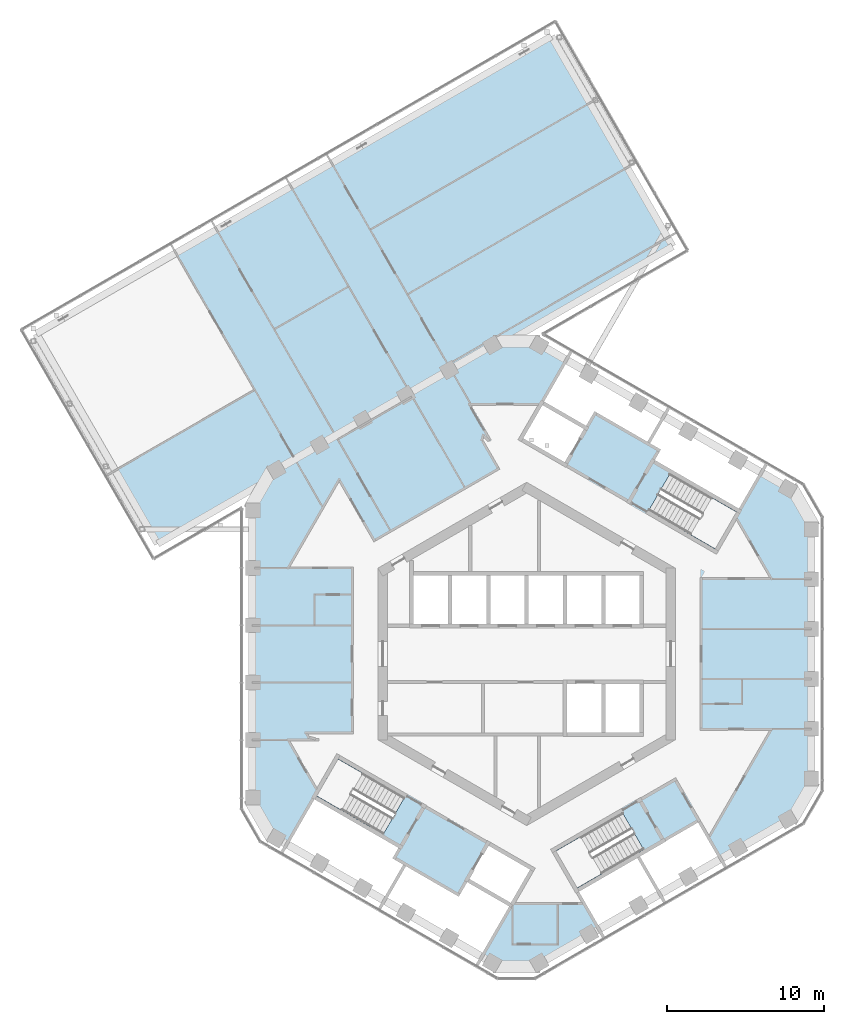
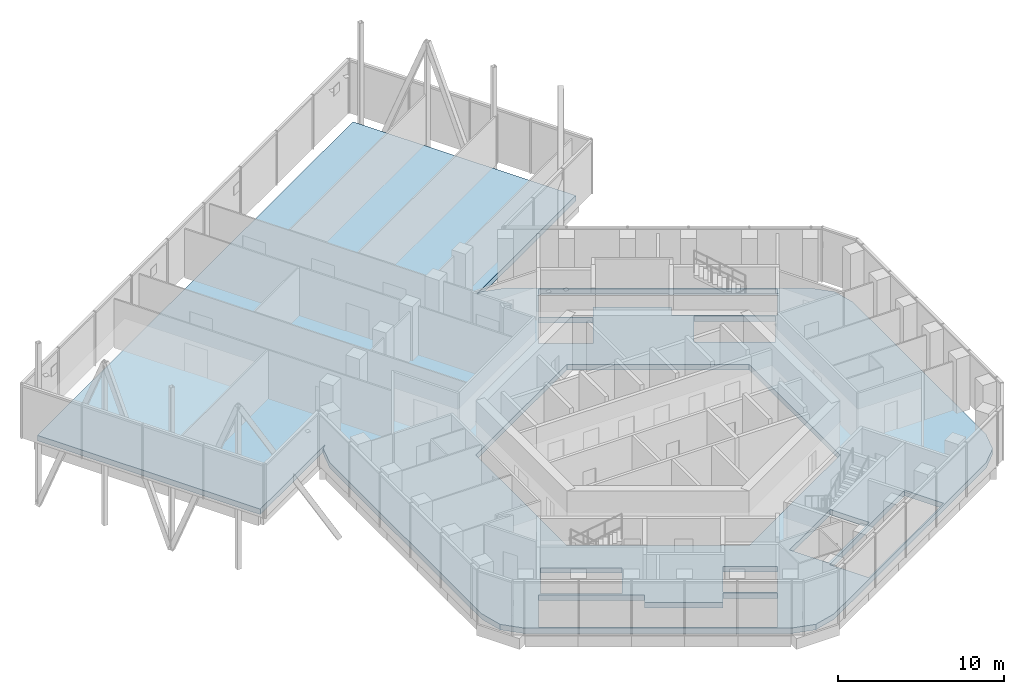
# One storey, part 11 of 21: 1 slab.
"""IFC4 building model written with IfcOpenShell, lengths in metres."""

from ifc_helpers import new_model, si_unit, direction, frame, origin, place, context, subcontext, project, spatial, polyline, outline, extrude, material, layer, layer_set, type_object, element, save


model = new_model("IFC4")

# Units and contexts
model_context = context("Model", 3, precision=1e-05, world=origin(), true_north=direction((0.0, 1.0)))
body_context = subcontext(model_context, "Body", "Model", "MODEL_VIEW")
ifc_project = project(units=[si_unit("LENGTHUNIT", "METRE"), si_unit("AREAUNIT", "SQUARE_METRE"), si_unit("VOLUMEUNIT", "CUBIC_METRE"), si_unit("PLANEANGLEUNIT", "RADIAN"), si_unit("MASSUNIT", "GRAM", prefix="KILO")], contexts=[model_context])

# Site, building, storey
site_placement = place(None, origin())
site = spatial("IfcSite", under=ifc_project, at=site_placement, CompositionType="ELEMENT")
building_placement = place(site_placement, origin())
building = spatial("IfcBuilding", under=site, at=building_placement, Name="Ayvan Gate Tower", CompositionType="ELEMENT")
storey_placement = place(building_placement, frame((0.0, 0.0, 190.699951171875)))
storey = spatial("IfcBuildingStorey", under=building, at=storey_placement, Name="L51", CompositionType="ELEMENT", Elevation=190.699951171875)

# Slab
ifc_material = material(Name="Concrete C40/50", Category="concrete")
ifc_layer = layer(ifc_material, 0.39990234375)
ifc_layer_set = layer_set([ifc_layer], Name="Concrete C40/50")
slab_type = type_object("IfcSlabType", Name="Post-tensioned flat slab 400", PredefinedType="FLOOR", material=ifc_layer_set)
slab_placement = place(storey_placement, frame((0.0, 0.0, -0.39990234375)))
element("IfcSlab", 1, at=slab_placement, inside=storey, type_object=slab_type, Name="SL-L51", PredefinedType="FLOOR", context=body_context, shape_type="SweptSolid", body=[
    extrude(outline(polyline([(-17.121337890625, -10.65087890625), (-17.523193359375, -9.15087890625), (-17.523193359375, 9.15087890625), (-17.121337890625, 10.65087890625), (-16.8427734375, 10.929443359375), (-23.5791015625, 7.040283203125), (-31.3291015625, 20.463623046875), (1.579833984375, 39.463623046875), (9.329833984375, 26.040283203125), (-1.043701171875, 20.051025390625), (-0.663330078125, 20.15283203125), (0.836669921875, 19.7509765625), (16.6865234375, 10.60009765625), (17.78466796875, 9.501953125), (18.1865234375, 8.001953125), (18.1865234375, -8.001953125), (17.78466796875, -9.501953125), (16.6865234375, -10.60009765625), (0.836669921875, -19.7509765625), (-0.663330078125, -20.15283203125), (-2.163330078125, -19.7509765625), (-16.023193359375, -11.7490234375), (-17.121337890625, -10.65087890625)]), holes=[polyline([(1.0146484375, 16.157470703125), (3.87255859375, 14.50732421875), (4.37255859375, 15.373291015625), (7.77587890625, 13.408447265625), (8.44287109375, 13.0234375), (8.042724609375, 12.33056640625), (13.58544921875, 9.130615234375), (14.947021484375, 11.489013671875), (2.476318359375, 18.68896484375), (1.0146484375, 16.157470703125)]), polyline([(7.80615234375, 9.170654296875), (12.049560546875, 6.720458984375), (13.404541015625, 9.0673828125), (9.1611328125, 11.517578125), (7.80615234375, 9.170654296875)]), polyline([(3.193115234375, -15.130615234375), (3.259765625, -15.24609375), (3.66796875, -15.952880859375), (4.5546875, -17.489013671875), (12.348876953125, -12.989013671875), (11.63525390625, -11.7529296875), (11.500732421875, -11.519775390625), (10.9873046875, -10.630615234375), (8.735595703125, -11.9306640625), (7.090087890625, -12.880615234375), (3.193115234375, -15.130615234375)]), polyline([(-9.5, -5.48486328125), (0.0, -10.9697265625), (9.5, -5.48486328125), (9.5, 5.48486328125), (0.0, 10.9697265625), (-9.5, 5.48486328125), (-9.5, -5.48486328125)]), polyline([(6.117431640625, -10.1455078125), (1.873779296875, -12.595458984375), (3.228759765625, -14.9423828125), (7.472412109375, -12.492431640625), (6.117431640625, -10.1455078125)]), polyline([(3.822509765625, 14.420654296875), (0.964599609375, 16.07080078125), (-0.2353515625, 13.9921875), (-0.385498046875, 13.732421875), (1.04443359375, 12.906982421875), (1.52734375, 12.628173828125), (2.472412109375, 12.08251953125), (3.822509765625, 14.420654296875)]), polyline([(-1.52734375, -12.628173828125), (-2.472412109375, -12.08251953125), (-3.822509765625, -14.420654296875), (-0.964599609375, -16.07080078125), (-0.896484375, -15.952880859375), (0.385498046875, -13.732421875), (-0.901123046875, -12.98974609375), (-1.52734375, -12.628173828125)]), polyline([(-15.278564453125, -12.0634765625), (-2.807861328125, -19.263427734375), (-1.0146484375, -16.157470703125), (-3.87255859375, -14.50732421875), (-4.37255859375, -15.373291015625), (-7.75, -13.42333984375), (-8.44287109375, -13.0234375), (-8.042724609375, -12.33056640625), (-13.58544921875, -9.130615234375), (-15.278564453125, -12.0634765625)]), polyline([(-13.404541015625, -9.0673828125), (-9.1611328125, -11.517578125), (-7.80615234375, -9.170654296875), (-12.049560546875, -6.720458984375), (-13.404541015625, -9.0673828125)])]), origin(), (0.0, 0.0, 1.0), 0.39990234375),
])

save(model, "model.ifc")
